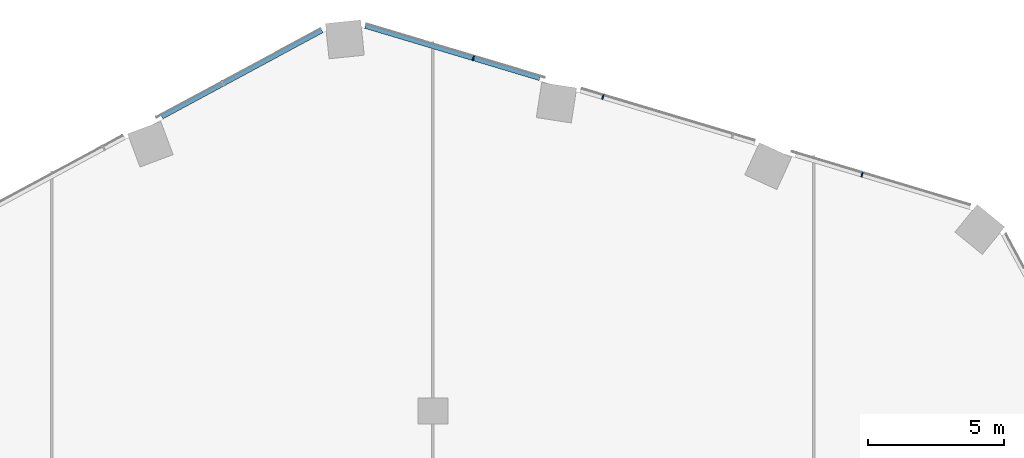
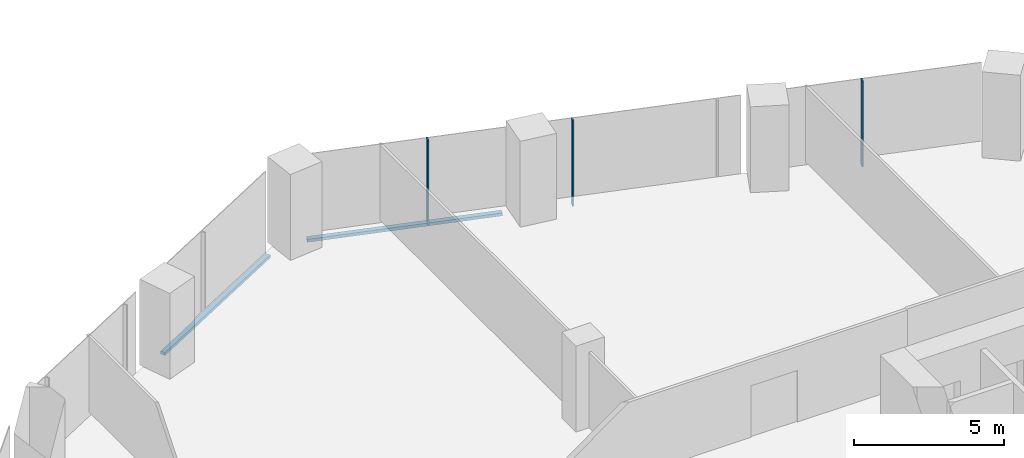
# One storey, part 12 of 34: 5 members, 2 elements without a shape of their own.
"""IFC4 building model written with IfcOpenShell, lengths in metres."""

from ifc_helpers import new_model, si_unit, direction, frame, origin, origin_2d, place, context, subcontext, project, spatial, rectangle, extrude, material, material_profile, profile_set, type_object, element, aggregate, save


model = new_model("IFC4")

# Units and contexts
model_context = context("Model", 3, precision=1e-05, world=origin(), true_north=direction((0.0, 1.0)))
body_context = subcontext(model_context, "Body", "Model", "MODEL_VIEW")
ifc_project = project(units=[si_unit("LENGTHUNIT", "METRE"), si_unit("AREAUNIT", "SQUARE_METRE"), si_unit("VOLUMEUNIT", "CUBIC_METRE"), si_unit("PLANEANGLEUNIT", "RADIAN"), si_unit("MASSUNIT", "GRAM", prefix="KILO")], contexts=[model_context])

# Site, building, storey
site_placement = place(None, origin())
site = spatial("IfcSite", under=ifc_project, at=site_placement, CompositionType="ELEMENT")
building_placement = place(site_placement, origin())
building = spatial("IfcBuilding", under=site, at=building_placement, Name="Orlundy Tower", CompositionType="ELEMENT")
storey_placement = place(building_placement, frame((0.0, 0.0, 127.199951171875)))
storey = spatial("IfcBuildingStorey", under=building, at=storey_placement, Name="L32", CompositionType="ELEMENT", Elevation=127.199951171875)

# Curtain wall, members
ifc_material_1 = material(Name="Aluminium bronze anodised", Category="aluminium")
curtain_wall_type = type_object("IfcCurtainWallType", Name="CW1 wall", PredefinedType="NOTDEFINED", material=ifc_material_1)
curtain_wall_1_placement = place(storey_placement, origin())
curtain_wall_1 = element("IfcCurtainWall", 1, at=curtain_wall_1_placement, inside=storey, type_object=curtain_wall_type, Name="CW1 run 04", PredefinedType="NOTDEFINED")
ifc_material_2 = material(Name="Aluminium bronze anodised", Category="aluminium")
ifc_material_profile_1 = material_profile(ifc_material_2, rectangle(XDim=0.179931640625, YDim=0.050048828125, at=origin_2d()), Name="CW1 mullion 50x180")
ifc_profile_set_1 = profile_set([ifc_material_profile_1], Name="Aluminium bronze anodised")
member_type_1 = type_object("IfcMemberType", Name="CW1 mullion 50x180", PredefinedType="MULLION", material=ifc_profile_set_1)
member_1_placement = place(storey_placement, frame((1.4873046875, 30.964599609375, -0.39990234375), z_axis=(0.0, 0.0, 1.0), x_axis=(0.286816257107, 0.957985612971, 0.0)))
member_1 = element("IfcMember", 2, at=member_1_placement, type_object=member_type_1, Name="CW1 mullion 20", PredefinedType="MULLION", context=body_context, shape_type="SweptSolid", body=[
    extrude(rectangle(XDim=0.179931640625, YDim=0.050048828125, at=origin_2d()), origin(), (0.0, 0.0, 1.0), 3.5),
])
member_2_placement = place(storey_placement, frame((6.2490234375, 29.5390625, -0.39990234375), z_axis=(0.0, 0.0, 1.0), x_axis=(0.286816257107, 0.957985612971, 0.0)))
member_2 = element("IfcMember", 3, at=member_2_placement, type_object=member_type_1, Name="CW1 mullion 21", PredefinedType="MULLION", context=body_context, shape_type="SweptSolid", body=[
    extrude(rectangle(XDim=0.179931640625, YDim=0.050048828125, at=origin_2d()), origin(), (0.0, 0.0, 1.0), 3.5),
])
member_3_placement = place(storey_placement, frame((15.772216796875, 26.687744140625, -0.39990234375), z_axis=(0.0, 0.0, 1.0), x_axis=(0.286816257107, 0.957985612971, 0.0)))
member_3 = element("IfcMember", 4, at=member_3_placement, type_object=member_type_1, Name="CW1 mullion 23", PredefinedType="MULLION", context=body_context, shape_type="SweptSolid", body=[
    extrude(rectangle(XDim=0.179931640625, YDim=0.050048828125, at=origin_2d()), origin(), (0.0, 0.0, 1.0), 3.5),
])

# Curtain wall, member
curtain_wall_2_placement = place(storey_placement, origin())
curtain_wall_2 = element("IfcCurtainWall", 5, at=curtain_wall_2_placement, inside=storey, type_object=curtain_wall_type, Name="CW1 run 03", PredefinedType="NOTDEFINED")
ifc_material_3 = material(Name="Aluminium bronze anodised", Category="aluminium")
ifc_material_profile_2 = material_profile(ifc_material_3, rectangle(XDim=0.179931640625, YDim=0.1201171875, at=origin_2d()), Name="CW1 transom 180x120")
ifc_profile_set_2 = profile_set([ifc_material_profile_2], Name="Aluminium bronze anodised")
member_type_2 = type_object("IfcMemberType", Name="CW1 transom 180x120", PredefinedType="USERDEFINED", material=ifc_profile_set_2)
member_4_placement = place(storey_placement, frame((-9.9619140625, 28.81396484375, -0.33984375), z_axis=(0.880187434864, 0.474626252442, 0.0), x_axis=(-0.474626252442, 0.880187434864, 0.0)))
member_4 = element("IfcMember", 6, at=member_4_placement, type_object=member_type_2, Name="CW1 transom", ObjectType="TRANSOM", PredefinedType="USERDEFINED", context=body_context, shape_type="SweptSolid", body=[
    extrude(rectangle(XDim=0.179931640625, YDim=0.1201171875, at=origin_2d()), origin(), (0.0, 0.0, 1.0), 6.691650390625),
])
aggregate(curtain_wall_2, [member_4])

# Member
member_5_placement = place(storey_placement, frame((-2.48046875, 32.152587890625, -0.33984375), z_axis=(0.957982823238, -0.286825574838, 0.0), x_axis=(0.286825574838, 0.957982823238, 0.0)))
member_5 = element("IfcMember", 7, at=member_5_placement, type_object=member_type_2, Name="CW1 transom", ObjectType="TRANSOM", PredefinedType="USERDEFINED", context=body_context, shape_type="SweptSolid", body=[
    extrude(rectangle(XDim=0.179931640625, YDim=0.1201171875, at=origin_2d()), origin(), (0.0, 0.0, 1.0), 6.690185546875),
])

aggregate(curtain_wall_1, [member_1, member_2, member_3, member_5])

save(model, "model.ifc")
